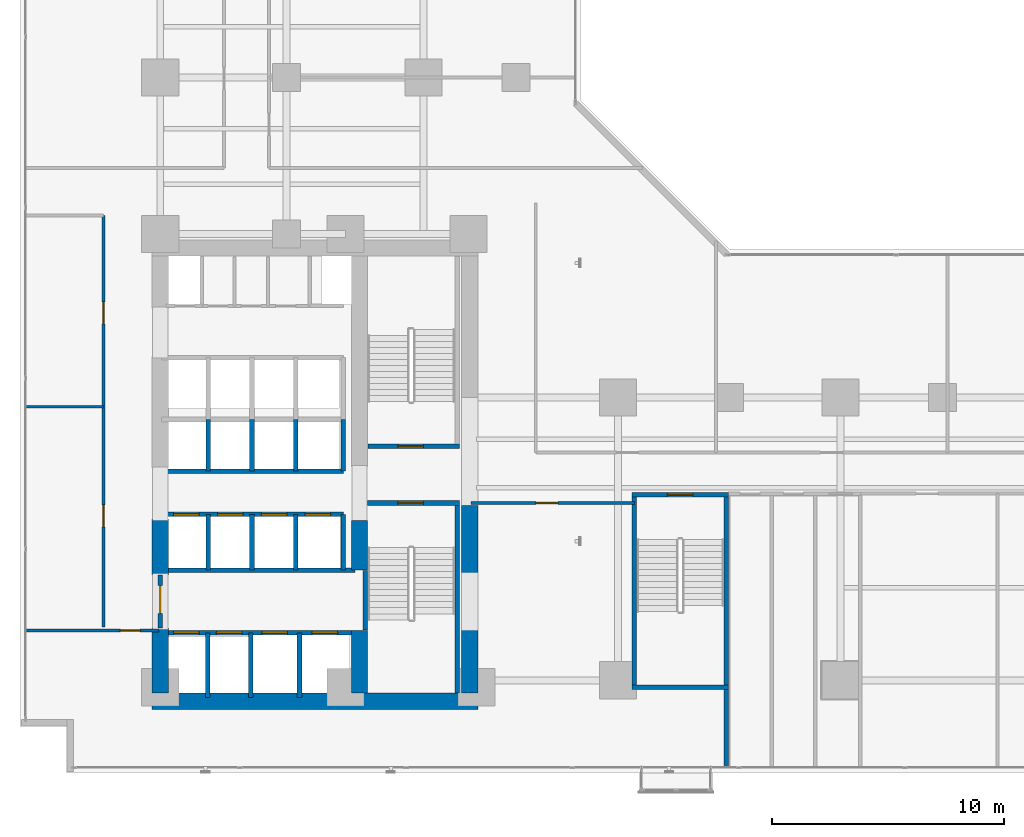
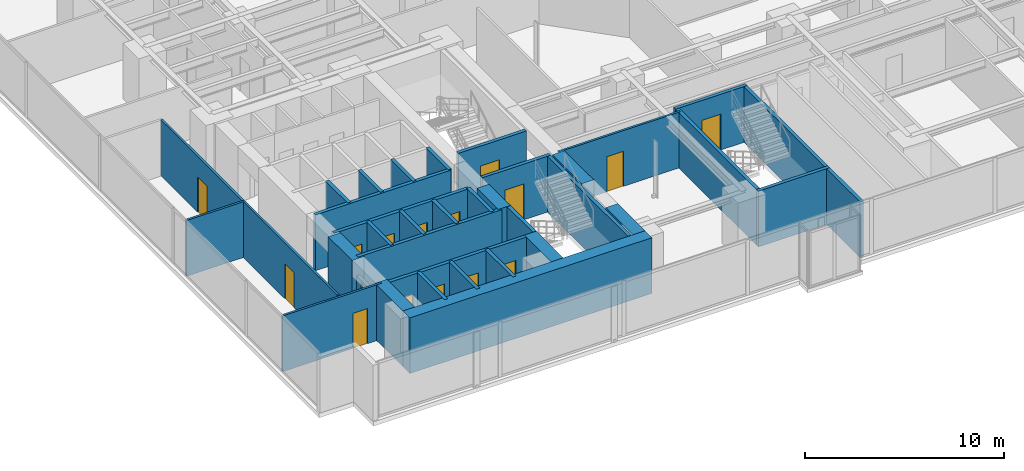
# One storey, part 22 of 28: 35 walls, 16 doors, 16 openings.
"""IFC4 building model written with IfcOpenShell, lengths in metres."""

from ifc_helpers import new_model, si_unit, direction, frame, frame_2d, origin, place, context, subcontext, project, spatial, rectangle, extrude, material, layer, layer_set, type_object, element, fill, save


model = new_model("IFC4")

# Units and contexts
model_context = context("Model", 3, precision=1e-05, world=origin(), true_north=direction((0.0, 1.0)))
body_context = subcontext(model_context, "Body", "Model", "MODEL_VIEW")
ifc_project = project(units=[si_unit("LENGTHUNIT", "METRE"), si_unit("AREAUNIT", "SQUARE_METRE"), si_unit("VOLUMEUNIT", "CUBIC_METRE"), si_unit("PLANEANGLEUNIT", "RADIAN"), si_unit("MASSUNIT", "GRAM", prefix="KILO")], contexts=[model_context])

# Site, building, storey
site_placement = place(None, origin())
site = spatial("IfcSite", under=ifc_project, at=site_placement, CompositionType="ELEMENT")
building_placement = place(site_placement, origin())
building = spatial("IfcBuilding", under=site, at=building_placement, Name="Kolvaren Waterfront Exchange", CompositionType="ELEMENT")
storey_placement = place(building_placement, frame((0.0, 0.0, 79.0)))
storey = spatial("IfcBuildingStorey", under=building, at=storey_placement, Name="L20", CompositionType="ELEMENT", Elevation=79.0)

# Wall, opening, door
ifc_material_1 = material(Name="Precast concrete C40/50", Category="concrete")
ifc_layer_1 = layer(ifc_material_1, 0.199951171875, Name="Precast concrete C40/50")
ifc_layer_set_1 = layer_set([ifc_layer_1], Name="Precast concrete C40/50")
wall_type_1 = type_object("IfcWallType", Name="ARC-FIRE-200", PredefinedType="PARTITIONING", material=ifc_layer_set_1)
wall_1_placement = place(storey_placement, frame((16.39990234375, 12.85009765625, 0.0), z_axis=(0.0, 0.0, 1.0), x_axis=(1.0, 0.0, 0.0)))
wall_1 = element("IfcWall", 1, at=wall_1_placement, inside=storey, type_object=wall_type_1, Name="L20 interior wall PW-L20-ST1-THROAT-S", PredefinedType="PARTITIONING", context=body_context, shape_type="SweptSolid", body=[
    extrude(rectangle(XDim=3.960205078125, YDim=0.199951171875, at=frame_2d((1.97998046875, 0.0))), origin(), (0.0, 0.0, 1.0), 3.419921875),
])
opening_1_placement = place(wall_1_placement, frame((1.3037109375, 0.0, 0.0)))
opening_1 = element("IfcOpeningElement", 2, at=opening_1_placement, cuts=wall_1, Name="Opening FD2", PredefinedType="OPENING", context=body_context, shape_type="SweptSolid", body=[
    extrude(rectangle(XDim=1.10009765625, YDim=2.199951171875, at=frame_2d((0.550048828125, 1.10009765625))), frame((0.0, 0.10986328125, 0.0), z_axis=(0.0, -1.0, 0.0), x_axis=(1.0, 0.0, 0.0)), (0.0, 0.0, 1.0), 0.219970703125),
])
ifc_material_2 = material(Name="Pressed steel smoke-seal fire door", Category="steel")
door_type_1 = type_object("IfcDoorType", Name="ARC-FD-1100", OperationType="NOTDEFINED", PredefinedType="DOOR", material=ifc_material_2)
door_1_placement = place(opening_1_placement, frame((1.10009765625, 0.0, 0.0), z_axis=(0.0, 0.0, 1.0), x_axis=(-1.0, 0.0, 0.0)))
door_1 = element("IfcDoor", 3, at=door_1_placement, inside=storey, type_object=door_type_1, Name="L20 door DR-L20-ST1-IN (FD2)", OperationType="SINGLE_SWING_LEFT", OverallHeight=2.199951171875, OverallWidth=1.10009765625, PredefinedType="DOOR", context=body_context, shape_type="SweptSolid", body=[
    extrude(rectangle(XDim=1.10009765625, YDim=2.199951171875, at=frame_2d((0.550048828125, 1.10009765625))), frame((0.0, 0.02490234375, 0.0), z_axis=(0.0, -1.0, 0.0), x_axis=(1.0, 0.0, 0.0)), (0.0, 0.0, 1.0), 0.050048828125),
])
fill(opening_1, door_1)

wall_2_placement = place(storey_placement, frame((16.409912109375, 15.300048828125, 0.0), z_axis=(0.0, 0.0, 1.0), x_axis=(1.0, 0.0, 0.0)))
wall_2 = element("IfcWall", 4, at=wall_2_placement, inside=storey, type_object=wall_type_1, Name="L20 interior wall PW-L20-ST2-THROAT-N", PredefinedType="PARTITIONING", context=body_context, shape_type="SweptSolid", body=[
    extrude(rectangle(XDim=3.9501953125, YDim=0.199951171875, at=frame_2d((1.97509765625, 0.0))), origin(), (0.0, 0.0, 1.0), 3.419921875),
])
opening_2_placement = place(wall_2_placement, frame((1.293701171875, 0.0, 0.0)))
opening_2 = element("IfcOpeningElement", 5, at=opening_2_placement, cuts=wall_2, Name="Opening FD2", PredefinedType="OPENING", context=body_context, shape_type="SweptSolid", body=[
    extrude(rectangle(XDim=1.10009765625, YDim=2.199951171875, at=frame_2d((0.550048828125, 1.10009765625))), frame((0.0, 0.10986328125, 0.0), z_axis=(0.0, -1.0, 0.0), x_axis=(1.0, 0.0, 0.0)), (0.0, 0.0, 1.0), 0.219970703125),
])
door_2_placement = place(opening_2_placement, origin())
door_2 = element("IfcDoor", 6, at=door_2_placement, inside=storey, type_object=door_type_1, Name="L20 door DR-L20-ST2-IN (FD2)", OperationType="SINGLE_SWING_RIGHT", OverallHeight=2.199951171875, OverallWidth=1.10009765625, PredefinedType="DOOR", context=body_context, shape_type="SweptSolid", body=[
    extrude(rectangle(XDim=1.10009765625, YDim=2.199951171875, at=frame_2d((0.550048828125, 1.10009765625))), frame((0.0, 0.02490234375, 0.0), z_axis=(0.0, -1.0, 0.0), x_axis=(1.0, 0.0, 0.0)), (0.0, 0.0, 1.0), 0.050048828125),
])
fill(opening_2, door_2)

# Wall
wall_3_placement = place(storey_placement, frame((7.5, 9.949951171875, 0.0), z_axis=(0.0, 0.0, 1.0), x_axis=(1.0, 0.0, 0.0)))
element("IfcWall", 7, at=wall_3_placement, inside=storey, type_object=wall_type_1, Name="L20 interior wall PW-L20-FF-N", PredefinedType="PARTITIONING", context=body_context, shape_type="SweptSolid", body=[
    extrude(rectangle(XDim=8.35009765625, YDim=0.199951171875, at=frame_2d((4.175048828125, 0.0))), origin(), (0.0, 0.0, 1.0), 3.419921875),
])

# Wall, opening, door
wall_4_placement = place(storey_placement, frame((7.449951171875, 7.449951171875, 0.0), z_axis=(0.0, 0.0, 1.0), x_axis=(0.0, 1.0, 0.0)))
wall_4 = element("IfcWall", 8, at=wall_4_placement, inside=storey, type_object=wall_type_1, Name="L20 interior wall PW-L20-FF-W-DOOR", PredefinedType="PARTITIONING", context=body_context, shape_type="SweptSolid", body=[
    extrude(rectangle(XDim=2.300048828125, YDim=0.199951171875, at=frame_2d((1.14990234375, 0.0))), origin(), (0.0, 0.0, 1.0), 2.39990234375),
])
opening_3_placement = place(wall_4_placement, frame((0.63330078125, 0.0, 0.0)))
opening_3 = element("IfcOpeningElement", 9, at=opening_3_placement, cuts=wall_4, Name="Opening FD3", PredefinedType="OPENING", context=body_context, shape_type="SweptSolid", body=[
    extrude(rectangle(XDim=1.199951171875, YDim=2.25, at=frame_2d((0.60009765625, 1.125))), frame((0.0, 0.10986328125, 0.0), z_axis=(0.0, -1.0, 0.0), x_axis=(1.0, 0.0, 0.0)), (0.0, 0.0, 1.0), 0.219970703125),
])
ifc_material_3 = material(Name="Pressed steel fire door", Category="steel")
door_type_2 = type_object("IfcDoorType", Name="ARC-FD-1200", OperationType="NOTDEFINED", PredefinedType="DOOR", material=ifc_material_3)
door_3_placement = place(opening_3_placement, frame((1.199951171875, 0.0, 0.0), z_axis=(0.0, 0.0, 1.0), x_axis=(-1.0, 0.0, 0.0)))
door_3 = element("IfcDoor", 10, at=door_3_placement, inside=storey, type_object=door_type_2, Name="L20 door DR-L20-FF-OUT (FD3)", OperationType="SINGLE_SWING_RIGHT", OverallHeight=2.25, OverallWidth=1.199951171875, PredefinedType="DOOR", context=body_context, shape_type="SweptSolid", body=[
    extrude(rectangle(XDim=1.199951171875, YDim=2.25, at=frame_2d((0.60009765625, 1.125))), frame((0.0, 0.02490234375, 0.0), z_axis=(0.0, -1.0, 0.0), x_axis=(1.0, 0.0, 0.0)), (0.0, 0.0, 1.0), 0.050048828125),
])
fill(opening_3, door_3)

ifc_material_4 = material(Name="Acoustic gypsum steel stud", Category="steel")
ifc_layer_2 = layer(ifc_material_4, 0.125, Name="Acoustic gypsum steel stud")
ifc_layer_set_2 = layer_set([ifc_layer_2], Name="Acoustic gypsum steel stud")
wall_type_2 = type_object("IfcWallType", Name="ARC-PART-125", PredefinedType="PARTITIONING", material=ifc_layer_set_2)
wall_5_placement = place(storey_placement, frame((1.639892578125, 7.35009765625, 0.0), z_axis=(0.0, 0.0, 1.0), x_axis=(1.0, 0.0, 0.0)))
wall_5 = element("IfcWall", 11, at=wall_5_placement, inside=storey, type_object=wall_type_2, Name="L20 interior wall PW-L20-SWC-N", PredefinedType="PARTITIONING", context=body_context, shape_type="SweptSolid", body=[
    extrude(rectangle(XDim=5.760009765625, YDim=0.125, at=frame_2d((2.8798828125, 0.0))), origin(), (0.0, 0.0, 1.0), 3.419921875),
])
opening_4_placement = place(wall_5_placement, frame((4.086669921875, 0.0, 0.0)))
opening_4 = element("IfcOpeningElement", 12, at=opening_4_placement, cuts=wall_5, Name="Opening D01", PredefinedType="OPENING", context=body_context, shape_type="SweptSolid", body=[
    extrude(rectangle(XDim=0.85009765625, YDim=2.14990234375, at=frame_2d((0.425048828125, 1.074951171875))), frame((0.0, 0.072509765625, 0.0), z_axis=(0.0, -1.0, 0.0), x_axis=(1.0, 0.0, 0.0)), (0.0, 0.0, 1.0), 0.14501953125),
])
ifc_material_5 = material(Name="Oak veneer timber leaf", Category="wood")
door_type_3 = type_object("IfcDoorType", Name="ARC-DR-900", OperationType="NOTDEFINED", PredefinedType="DOOR", material=ifc_material_5)
door_4_placement = place(opening_4_placement, origin())
door_4 = element("IfcDoor", 13, at=door_4_placement, inside=storey, type_object=door_type_3, Name="L20 door DR-L20-SWC-D (D01)", OperationType="SINGLE_SWING_RIGHT", OverallHeight=2.14990234375, OverallWidth=0.85009765625, PredefinedType="DOOR", context=body_context, shape_type="SweptSolid", body=[
    extrude(rectangle(XDim=0.85009765625, YDim=2.14990234375, at=frame_2d((0.425048828125, 1.074951171875))), frame((0.0, 0.02490234375, 0.0), z_axis=(0.0, -1.0, 0.0), x_axis=(1.0, 0.0, 0.0)), (0.0, 0.0, 1.0), 0.050048828125),
])
fill(opening_4, door_4)

# Wall, openings, doors
wall_6_placement = place(storey_placement, frame((5.0, 7.5, 0.0), z_axis=(0.0, 0.0, 1.0), x_axis=(0.0, 1.0, 0.0)))
wall_6 = element("IfcWall", 14, at=wall_6_placement, inside=storey, type_object=wall_type_2, Name="L20 interior wall PW-L20-WFLANK-E", PredefinedType="PARTITIONING", context=body_context, shape_type="SweptSolid", body=[
    extrude(rectangle(XDim=17.75, YDim=0.125, at=frame_2d((8.875, 0.0))), origin(), (0.0, 0.0, 1.0), 3.419921875),
])
opening_5_placement = place(wall_6_placement, frame((4.320068359375, 0.0, 0.0)))
opening_5 = element("IfcOpeningElement", 15, at=opening_5_placement, cuts=wall_6, Name="Opening D02", PredefinedType="OPENING", context=body_context, shape_type="SweptSolid", body=[
    extrude(rectangle(XDim=0.949951171875, YDim=2.14990234375, at=frame_2d((0.47509765625, 1.074951171875))), frame((0.0, 0.072509765625, 0.0), z_axis=(0.0, -1.0, 0.0), x_axis=(1.0, 0.0, 0.0)), (0.0, 0.0, 1.0), 0.14501953125),
])
opening_6_placement = place(wall_6_placement, frame((13.078857421875, 0.0, 0.0)))
opening_6 = element("IfcOpeningElement", 16, at=opening_6_placement, cuts=wall_6, Name="Opening D02", PredefinedType="OPENING", context=body_context, shape_type="SweptSolid", body=[
    extrude(rectangle(XDim=0.949951171875, YDim=2.14990234375, at=frame_2d((0.47509765625, 1.074951171875))), frame((0.0, 0.072509765625, 0.0), z_axis=(0.0, -1.0, 0.0), x_axis=(1.0, 0.0, 0.0)), (0.0, 0.0, 1.0), 0.14501953125),
])
ifc_material_6 = material(Name="Oak veneer acoustic timber", Category="wood")
door_type_4 = type_object("IfcDoorType", Name="ARC-DR-950", OperationType="NOTDEFINED", PredefinedType="DOOR", material=ifc_material_6)
door_5_placement = place(opening_5_placement, origin())
door_5 = element("IfcDoor", 17, at=door_5_placement, inside=storey, type_object=door_type_4, Name="L20 door DR-L20-WFL1-D (D02)", OperationType="SINGLE_SWING_LEFT", OverallHeight=2.14990234375, OverallWidth=0.949951171875, PredefinedType="DOOR", context=body_context, shape_type="SweptSolid", body=[
    extrude(rectangle(XDim=0.949951171875, YDim=2.14990234375, at=frame_2d((0.47509765625, 1.074951171875))), frame((0.0, 0.02490234375, 0.0), z_axis=(0.0, -1.0, 0.0), x_axis=(1.0, 0.0, 0.0)), (0.0, 0.0, 1.0), 0.050048828125),
])
fill(opening_5, door_5)
door_6_placement = place(opening_6_placement, origin())
door_6 = element("IfcDoor", 18, at=door_6_placement, inside=storey, type_object=door_type_4, Name="L20 door DR-L20-WFL2-D (D02)", OperationType="SINGLE_SWING_RIGHT", OverallHeight=2.14990234375, OverallWidth=0.949951171875, PredefinedType="DOOR", context=body_context, shape_type="SweptSolid", body=[
    extrude(rectangle(XDim=0.949951171875, YDim=2.14990234375, at=frame_2d((0.47509765625, 1.074951171875))), frame((0.0, 0.02490234375, 0.0), z_axis=(0.0, -1.0, 0.0), x_axis=(1.0, 0.0, 0.0)), (0.0, 0.0, 1.0), 0.050048828125),
])
fill(opening_6, door_6)

# Wall
wall_7_placement = place(storey_placement, frame((1.639892578125, 17.0, 0.0), z_axis=(0.0, 0.0, 1.0), x_axis=(1.0, 0.0, 0.0)))
element("IfcWall", 19, at=wall_7_placement, inside=storey, type_object=wall_type_2, Name="L20 interior wall PW-L20-WFLANK-MID", PredefinedType="PARTITIONING", context=body_context, shape_type="SweptSolid", body=[
    extrude(rectangle(XDim=3.360107421875, YDim=0.125, at=frame_2d((1.68017578125, 0.0))), origin(), (0.0, 0.0, 1.0), 3.419921875),
])

# Wall, opening, door
wall_8_placement = place(storey_placement, frame((20.85009765625, 12.85009765625, 0.0), z_axis=(0.0, 0.0, 1.0), x_axis=(1.0, 0.0, 0.0)))
wall_8 = element("IfcWall", 20, at=wall_8_placement, inside=storey, type_object=wall_type_2, Name="L20 interior wall PW-L20-SWST3-N", PredefinedType="PARTITIONING", context=body_context, shape_type="SweptSolid", body=[
    extrude(rectangle(XDim=7.0498046875, YDim=0.125, at=frame_2d((3.52490234375, 0.0))), origin(), (0.0, 0.0, 1.0), 3.419921875),
])
opening_7_placement = place(wall_8_placement, frame((2.800048828125, 0.0, 0.0)))
opening_7 = element("IfcOpeningElement", 21, at=opening_7_placement, cuts=wall_8, Name="Opening D02", PredefinedType="OPENING", context=body_context, shape_type="SweptSolid", body=[
    extrude(rectangle(XDim=0.949951171875, YDim=2.14990234375, at=frame_2d((0.47509765625, 1.074951171875))), frame((0.0, 0.072509765625, 0.0), z_axis=(0.0, -1.0, 0.0), x_axis=(1.0, 0.0, 0.0)), (0.0, 0.0, 1.0), 0.14501953125),
])
door_7_placement = place(opening_7_placement, origin())
door_7 = element("IfcDoor", 22, at=door_7_placement, inside=storey, type_object=door_type_4, Name="L20 door DR-L20-SWST3-D (D02)", OperationType="SINGLE_SWING_LEFT", OverallHeight=2.14990234375, OverallWidth=0.949951171875, PredefinedType="DOOR", context=body_context, shape_type="SweptSolid", body=[
    extrude(rectangle(XDim=0.949951171875, YDim=2.14990234375, at=frame_2d((0.47509765625, 1.074951171875))), frame((0.0, 0.02490234375, 0.0), z_axis=(0.0, -1.0, 0.0), x_axis=(1.0, 0.0, 0.0)), (0.0, 0.0, 1.0), 0.050048828125),
])
fill(opening_7, door_7)

# Walls
ifc_material_7 = material(Name="Concrete C40/50", Category="concrete")
ifc_layer_3 = layer(ifc_material_7, 0.199951171875, Name="Concrete C40/50")
ifc_layer_set_3 = layer_set([ifc_layer_3], Name="Concrete C40/50")
wall_type_3 = type_object("IfcWallType", Name="ARC-SHAFT-200", PredefinedType="PARTITIONING", material=ifc_layer_set_3)
wall_9_placement = place(storey_placement, frame((16.300048828125, 7.360107421875, 0.0), z_axis=(0.0, 0.0, 1.0), x_axis=(0.0, 1.0, 0.0)))
element("IfcWall", 23, at=wall_9_placement, inside=storey, type_object=wall_type_3, Name="L20 structural stairwell wall PW-L20-ST1-W", PredefinedType="SHEAR", context=body_context, shape_type="SweptSolid", body=[
    extrude(rectangle(XDim=2.579833984375, YDim=0.199951171875, at=frame_2d((1.2900390625, 0.0))), origin(), (0.0, 0.0, 1.0), 3.419921875),
])
wall_10_placement = place(storey_placement, frame((20.260009765625, 4.659912109375, 0.0), z_axis=(0.0, 0.0, 1.0), x_axis=(0.0, 1.0, 0.0)))
element("IfcWall", 24, at=wall_10_placement, inside=storey, type_object=wall_type_3, Name="L20 structural stairwell wall PW-L20-ST1-E", PredefinedType="SHEAR", context=body_context, shape_type="SweptSolid", body=[
    extrude(rectangle(XDim=8.090087890625, YDim=0.199951171875, at=frame_2d((4.044921875, 0.0))), origin(), (0.0, 0.0, 1.0), 3.419921875),
])
wall_11_placement = place(storey_placement, frame((27.89990234375, 5.0, 0.0), z_axis=(0.0, 0.0, 1.0), x_axis=(0.0, 1.0, 0.0)))
element("IfcWall", 25, at=wall_11_placement, inside=storey, type_object=wall_type_3, Name="L20 structural stairwell wall PW-L20-ST3-W", PredefinedType="SHEAR", context=body_context, shape_type="SweptSolid", body=[
    extrude(rectangle(XDim=8.10009765625, YDim=0.199951171875, at=frame_2d((4.050048828125, 0.0))), origin(), (0.0, 0.0, 1.0), 3.419921875),
])
wall_12_placement = place(storey_placement, frame((31.860107421875, 1.43994140625, 0.0), z_axis=(0.0, 0.0, 1.0), x_axis=(0.0, 1.0, 0.0)))
element("IfcWall", 26, at=wall_12_placement, inside=storey, type_object=wall_type_3, Name="L20 structural stairwell wall PW-L20-ST3-E", PredefinedType="SHEAR", context=body_context, shape_type="SweptSolid", body=[
    extrude(rectangle(XDim=11.81005859375, YDim=0.199951171875, at=frame_2d((5.905029296875, 0.0))), origin(), (0.0, 0.0, 1.0), 3.419921875),
])
wall_13_placement = place(storey_placement, frame((27.800048828125, 4.89990234375, 0.0), z_axis=(0.0, 0.0, 1.0), x_axis=(1.0, 0.0, 0.0)))
element("IfcWall", 27, at=wall_13_placement, inside=storey, type_object=wall_type_3, Name="L20 structural stairwell wall PW-L20-ST3-S", PredefinedType="SHEAR", context=body_context, shape_type="SweptSolid", body=[
    extrude(rectangle(XDim=4.159912109375, YDim=0.199951171875, at=frame_2d((2.080078125, 0.0))), origin(), (0.0, 0.0, 1.0), 3.419921875),
])

# Wall, opening, door
wall_14_placement = place(storey_placement, frame((27.800048828125, 13.199951171875, 0.0), z_axis=(0.0, 0.0, 1.0), x_axis=(1.0, 0.0, 0.0)))
wall_14 = element("IfcWall", 28, at=wall_14_placement, inside=storey, type_object=wall_type_3, Name="L20 structural stairwell wall PW-L20-ST3-N", PredefinedType="SHEAR", context=body_context, shape_type="SweptSolid", body=[
    extrude(rectangle(XDim=4.159912109375, YDim=0.199951171875, at=frame_2d((2.080078125, 0.0))), origin(), (0.0, 0.0, 1.0), 3.419921875),
])
opening_8_placement = place(wall_14_placement, frame((1.530029296875, 0.0, 0.0)))
opening_8 = element("IfcOpeningElement", 29, at=opening_8_placement, cuts=wall_14, Name="Opening FD2", PredefinedType="OPENING", context=body_context, shape_type="SweptSolid", body=[
    extrude(rectangle(XDim=1.10009765625, YDim=2.199951171875, at=frame_2d((0.550048828125, 1.10009765625))), frame((0.0, 0.10986328125, 0.0), z_axis=(0.0, -1.0, 0.0), x_axis=(1.0, 0.0, 0.0)), (0.0, 0.0, 1.0), 0.219970703125),
])
door_8_placement = place(opening_8_placement, frame((1.10009765625, 0.0, 0.0), z_axis=(0.0, 0.0, 1.0), x_axis=(-1.0, 0.0, 0.0)))
door_8 = element("IfcDoor", 30, at=door_8_placement, inside=storey, type_object=door_type_1, Name="L20 door DR-L20-ST3-IN (FD2)", OperationType="SINGLE_SWING_LEFT", OverallHeight=2.199951171875, OverallWidth=1.10009765625, PredefinedType="DOOR", context=body_context, shape_type="SweptSolid", body=[
    extrude(rectangle(XDim=1.10009765625, YDim=2.199951171875, at=frame_2d((0.550048828125, 1.10009765625))), frame((0.0, 0.02490234375, 0.0), z_axis=(0.0, -1.0, 0.0), x_axis=(1.0, 0.0, 0.0)), (0.0, 0.0, 1.0), 0.050048828125),
])
fill(opening_8, door_8)

# Wall, openings, doors
wall_15_placement = place(storey_placement, frame((7.5, 7.25, 0.0), z_axis=(0.0, 0.0, 1.0), x_axis=(1.0, 0.0, 0.0)))
wall_15 = element("IfcWall", 31, at=wall_15_placement, inside=storey, type_object=wall_type_3, Name="L20 interior wall PW-L20-FF-S", PredefinedType="PARTITIONING", context=body_context, shape_type="SweptSolid", body=[
    extrude(rectangle(XDim=8.35009765625, YDim=0.199951171875, at=frame_2d((4.175048828125, 0.0))), origin(), (0.0, 0.0, 1.0), 3.419921875),
])
opening_9_placement = place(wall_15_placement, frame((0.530029296875, 0.0, 0.0)))
opening_9 = element("IfcOpeningElement", 32, at=opening_9_placement, cuts=wall_15, Name="Opening LD1", PredefinedType="OPENING", context=body_context, shape_type="SweptSolid", body=[
    extrude(rectangle(XDim=1.10009765625, YDim=2.199951171875, at=frame_2d((0.550048828125, 1.10009765625))), frame((0.0, 0.10986328125, 0.0), z_axis=(0.0, -1.0, 0.0), x_axis=(1.0, 0.0, 0.0)), (0.0, 0.0, 1.0), 0.219970703125),
])
opening_10_placement = place(wall_15_placement, frame((2.3701171875, 0.0, 0.0)))
opening_10 = element("IfcOpeningElement", 33, at=opening_10_placement, cuts=wall_15, Name="Opening LD1", PredefinedType="OPENING", context=body_context, shape_type="SweptSolid", body=[
    extrude(rectangle(XDim=1.10009765625, YDim=2.199951171875, at=frame_2d((0.550048828125, 1.10009765625))), frame((0.0, 0.10986328125, 0.0), z_axis=(0.0, -1.0, 0.0), x_axis=(1.0, 0.0, 0.0)), (0.0, 0.0, 1.0), 0.219970703125),
])
opening_11_placement = place(wall_15_placement, frame((4.330078125, 0.0, 0.0)))
opening_11 = element("IfcOpeningElement", 34, at=opening_11_placement, cuts=wall_15, Name="Opening LD1", PredefinedType="OPENING", context=body_context, shape_type="SweptSolid", body=[
    extrude(rectangle(XDim=1.10009765625, YDim=2.199951171875, at=frame_2d((0.550048828125, 1.10009765625))), frame((0.0, 0.10986328125, 0.0), z_axis=(0.0, -1.0, 0.0), x_axis=(1.0, 0.0, 0.0)), (0.0, 0.0, 1.0), 0.219970703125),
])
opening_12_placement = place(wall_15_placement, frame((6.5, 0.0, 0.0)))
opening_12 = element("IfcOpeningElement", 35, at=opening_12_placement, cuts=wall_15, Name="Opening LD1", PredefinedType="OPENING", context=body_context, shape_type="SweptSolid", body=[
    extrude(rectangle(XDim=1.10009765625, YDim=2.199951171875, at=frame_2d((0.550048828125, 1.10009765625))), frame((0.0, 0.10986328125, 0.0), z_axis=(0.0, -1.0, 0.0), x_axis=(1.0, 0.0, 0.0)), (0.0, 0.0, 1.0), 0.219970703125),
])
ifc_material_8 = material(Name="Stainless steel sliding landing door", Category="steel")
door_type_5 = type_object("IfcDoorType", Name="ARC-LD-FF", OperationType="SLIDING_TO_LEFT", PredefinedType="DOOR", material=ifc_material_8)
door_9_placement = place(opening_9_placement, origin())
door_9 = element("IfcDoor", 36, at=door_9_placement, inside=storey, type_object=door_type_5, Name="L20 door LD-L20-FFL1 (LD1)", OperationType="SLIDING_TO_LEFT", OverallHeight=2.199951171875, OverallWidth=1.10009765625, PredefinedType="DOOR", context=body_context, shape_type="SweptSolid", body=[
    extrude(rectangle(XDim=1.10009765625, YDim=2.199951171875, at=frame_2d((0.550048828125, 1.10009765625))), frame((0.0, 0.02490234375, 0.0), z_axis=(0.0, -1.0, 0.0), x_axis=(1.0, 0.0, 0.0)), (0.0, 0.0, 1.0), 0.050048828125),
])
fill(opening_9, door_9)
door_10_placement = place(opening_10_placement, origin())
door_10 = element("IfcDoor", 37, at=door_10_placement, inside=storey, type_object=door_type_5, Name="L20 door LD-L20-FFL2 (LD1)", OperationType="SLIDING_TO_LEFT", OverallHeight=2.199951171875, OverallWidth=1.10009765625, PredefinedType="DOOR", context=body_context, shape_type="SweptSolid", body=[
    extrude(rectangle(XDim=1.10009765625, YDim=2.199951171875, at=frame_2d((0.550048828125, 1.10009765625))), frame((0.0, 0.02490234375, 0.0), z_axis=(0.0, -1.0, 0.0), x_axis=(1.0, 0.0, 0.0)), (0.0, 0.0, 1.0), 0.050048828125),
])
fill(opening_10, door_10)
door_11_placement = place(opening_11_placement, origin())
door_11 = element("IfcDoor", 38, at=door_11_placement, inside=storey, type_object=door_type_5, Name="L20 door LD-L20-GL1 (LD1)", OperationType="SLIDING_TO_LEFT", OverallHeight=2.199951171875, OverallWidth=1.10009765625, PredefinedType="DOOR", context=body_context, shape_type="SweptSolid", body=[
    extrude(rectangle(XDim=1.10009765625, YDim=2.199951171875, at=frame_2d((0.550048828125, 1.10009765625))), frame((0.0, 0.02490234375, 0.0), z_axis=(0.0, -1.0, 0.0), x_axis=(1.0, 0.0, 0.0)), (0.0, 0.0, 1.0), 0.050048828125),
])
fill(opening_11, door_11)
door_12_placement = place(opening_12_placement, origin())
door_12 = element("IfcDoor", 39, at=door_12_placement, inside=storey, type_object=door_type_5, Name="L20 door LD-L20-GL2 (LD1)", OperationType="SLIDING_TO_LEFT", OverallHeight=2.199951171875, OverallWidth=1.10009765625, PredefinedType="DOOR", context=body_context, shape_type="SweptSolid", body=[
    extrude(rectangle(XDim=1.10009765625, YDim=2.199951171875, at=frame_2d((0.550048828125, 1.10009765625))), frame((0.0, 0.02490234375, 0.0), z_axis=(0.0, -1.0, 0.0), x_axis=(1.0, 0.0, 0.0)), (0.0, 0.0, 1.0), 0.050048828125),
])
fill(opening_12, door_12)

# Walls
for number, where, z_axis, x_axis, name in (
    (40, (9.5, 4.449951171875, 0.0), (0.0, 0.0, 1.0), (0.0, 1.0, 0.0), "L20 interior wall PW-L20-SH1-DIV-95"),
    (41, (11.360107421875, 4.449951171875, 0.0), (0.0, 0.0, 1.0), (0.0, 1.0, 0.0), "L20 interior wall PW-L20-SH1-DIV-113"),
    (42, (13.4599609375, 4.449951171875, 0.0), (0.0, 0.0, 1.0), (0.0, 1.0, 0.0), "L20 interior wall PW-L20-SH1-DIV-134"),
):
    element("IfcWall", number, at=place(storey_placement, frame(where, z_axis=z_axis, x_axis=x_axis)), inside=storey, type_object=wall_type_3, Name=name, PredefinedType="PARTITIONING", context=body_context, shape_type="SweptSolid", body=[
        extrude(rectangle(XDim=2.800048828125, YDim=0.199951171875, at=frame_2d((1.39990234375, 0.0))), origin(), (0.0, 0.0, 1.0), 3.419921875),
    ])

# Wall, openings, doors
wall_16_placement = place(storey_placement, frame((7.5, 12.360107421875, 0.0), z_axis=(0.0, 0.0, 1.0), x_axis=(1.0, 0.0, 0.0)))
wall_16 = element("IfcWall", 43, at=wall_16_placement, inside=storey, type_object=wall_type_3, Name="L20 interior wall PW-L20-PL-N", PredefinedType="PARTITIONING", context=body_context, shape_type="SweptSolid", body=[
    extrude(rectangle(XDim=7.85009765625, YDim=0.199951171875, at=frame_2d((3.925048828125, 0.0))), origin(), (0.0, 0.0, 1.0), 3.419921875),
])
opening_13_placement = place(wall_16_placement, frame((0.530029296875, 0.0, 0.0)))
opening_13 = element("IfcOpeningElement", 44, at=opening_13_placement, cuts=wall_16, Name="Opening LD2", PredefinedType="OPENING", context=body_context, shape_type="SweptSolid", body=[
    extrude(rectangle(XDim=1.10009765625, YDim=2.199951171875, at=frame_2d((0.550048828125, 1.10009765625))), frame((0.0, 0.10986328125, 0.0), z_axis=(0.0, -1.0, 0.0), x_axis=(1.0, 0.0, 0.0)), (0.0, 0.0, 1.0), 0.219970703125),
])
opening_14_placement = place(wall_16_placement, frame((2.419921875, 0.0, 0.0)))
opening_14 = element("IfcOpeningElement", 45, at=opening_14_placement, cuts=wall_16, Name="Opening LD2", PredefinedType="OPENING", context=body_context, shape_type="SweptSolid", body=[
    extrude(rectangle(XDim=1.10009765625, YDim=2.199951171875, at=frame_2d((0.550048828125, 1.10009765625))), frame((0.0, 0.10986328125, 0.0), z_axis=(0.0, -1.0, 0.0), x_axis=(1.0, 0.0, 0.0)), (0.0, 0.0, 1.0), 0.219970703125),
])
opening_15_placement = place(wall_16_placement, frame((4.31005859375, 0.0, 0.0)))
opening_15 = element("IfcOpeningElement", 46, at=opening_15_placement, cuts=wall_16, Name="Opening LD2", PredefinedType="OPENING", context=body_context, shape_type="SweptSolid", body=[
    extrude(rectangle(XDim=1.10009765625, YDim=2.199951171875, at=frame_2d((0.550048828125, 1.10009765625))), frame((0.0, 0.10986328125, 0.0), z_axis=(0.0, -1.0, 0.0), x_axis=(1.0, 0.0, 0.0)), (0.0, 0.0, 1.0), 0.219970703125),
])
opening_16_placement = place(wall_16_placement, frame((6.199951171875, 0.0, 0.0)))
opening_16 = element("IfcOpeningElement", 47, at=opening_16_placement, cuts=wall_16, Name="Opening LD2", PredefinedType="OPENING", context=body_context, shape_type="SweptSolid", body=[
    extrude(rectangle(XDim=1.10009765625, YDim=2.199951171875, at=frame_2d((0.550048828125, 1.10009765625))), frame((0.0, 0.10986328125, 0.0), z_axis=(0.0, -1.0, 0.0), x_axis=(1.0, 0.0, 0.0)), (0.0, 0.0, 1.0), 0.219970703125),
])
ifc_material_9 = material(Name="Brushed bronze sliding landing door", Category="aluminium")
door_type_6 = type_object("IfcDoorType", Name="ARC-LD-PAX", OperationType="SLIDING_TO_LEFT", PredefinedType="DOOR", material=ifc_material_9)
door_13_placement = place(opening_13_placement, origin())
door_13 = element("IfcDoor", 48, at=door_13_placement, inside=storey, type_object=door_type_6, Name="L20 door LD-L20-PL1 (LD2)", OperationType="SLIDING_TO_LEFT", OverallHeight=2.199951171875, OverallWidth=1.10009765625, PredefinedType="DOOR", context=body_context, shape_type="SweptSolid", body=[
    extrude(rectangle(XDim=1.10009765625, YDim=2.199951171875, at=frame_2d((0.550048828125, 1.10009765625))), frame((0.0, 0.02490234375, 0.0), z_axis=(0.0, -1.0, 0.0), x_axis=(1.0, 0.0, 0.0)), (0.0, 0.0, 1.0), 0.050048828125),
])
fill(opening_13, door_13)
door_14_placement = place(opening_14_placement, origin())
door_14 = element("IfcDoor", 49, at=door_14_placement, inside=storey, type_object=door_type_6, Name="L20 door LD-L20-PL2 (LD2)", OperationType="SLIDING_TO_LEFT", OverallHeight=2.199951171875, OverallWidth=1.10009765625, PredefinedType="DOOR", context=body_context, shape_type="SweptSolid", body=[
    extrude(rectangle(XDim=1.10009765625, YDim=2.199951171875, at=frame_2d((0.550048828125, 1.10009765625))), frame((0.0, 0.02490234375, 0.0), z_axis=(0.0, -1.0, 0.0), x_axis=(1.0, 0.0, 0.0)), (0.0, 0.0, 1.0), 0.050048828125),
])
fill(opening_14, door_14)
door_15_placement = place(opening_15_placement, origin())
door_15 = element("IfcDoor", 50, at=door_15_placement, inside=storey, type_object=door_type_6, Name="L20 door LD-L20-PL3 (LD2)", OperationType="SLIDING_TO_LEFT", OverallHeight=2.199951171875, OverallWidth=1.10009765625, PredefinedType="DOOR", context=body_context, shape_type="SweptSolid", body=[
    extrude(rectangle(XDim=1.10009765625, YDim=2.199951171875, at=frame_2d((0.550048828125, 1.10009765625))), frame((0.0, 0.02490234375, 0.0), z_axis=(0.0, -1.0, 0.0), x_axis=(1.0, 0.0, 0.0)), (0.0, 0.0, 1.0), 0.050048828125),
])
fill(opening_15, door_15)
door_16_placement = place(opening_16_placement, origin())
door_16 = element("IfcDoor", 51, at=door_16_placement, inside=storey, type_object=door_type_6, Name="L20 door LD-L20-PL4 (LD2)", OperationType="SLIDING_TO_LEFT", OverallHeight=2.199951171875, OverallWidth=1.10009765625, PredefinedType="DOOR", context=body_context, shape_type="SweptSolid", body=[
    extrude(rectangle(XDim=1.10009765625, YDim=2.199951171875, at=frame_2d((0.550048828125, 1.10009765625))), frame((0.0, 0.02490234375, 0.0), z_axis=(0.0, -1.0, 0.0), x_axis=(1.0, 0.0, 0.0)), (0.0, 0.0, 1.0), 0.050048828125),
])
fill(opening_16, door_16)

# Walls
for number, where, z_axis, x_axis, name in (
    (52, (15.35009765625, 9.949951171875, 0.0), (0.0, 0.0, 1.0), (0.0, 1.0, 0.0), "L20 interior wall PW-L20-PL-E"),
    (53, (9.52001953125, 9.949951171875, 0.0), (0.0, 0.0, 1.0), (0.0, 1.0, 0.0), "L20 interior wall PW-L20-SH2-DIV-95"),
    (54, (11.409912109375, 9.949951171875, 0.0), (0.0, 0.0, 1.0), (0.0, 1.0, 0.0), "L20 interior wall PW-L20-SH2-DIV-114"),
    (55, (13.300048828125, 9.949951171875, 0.0), (0.0, 0.0, 1.0), (0.0, 1.0, 0.0), "L20 interior wall PW-L20-SH2-DIV-133"),
):
    element("IfcWall", number, at=place(storey_placement, frame(where, z_axis=z_axis, x_axis=x_axis)), inside=storey, type_object=wall_type_3, Name=name, PredefinedType="PARTITIONING", context=body_context, shape_type="SweptSolid", body=[
        extrude(rectangle(XDim=2.41015625, YDim=0.199951171875, at=frame_2d((1.205078125, 0.0))), origin(), (0.0, 0.0, 1.0), 3.419921875),
    ])
wall_17_placement = place(storey_placement, frame((7.5, 14.219970703125, 0.0), z_axis=(0.0, 0.0, 1.0), x_axis=(1.0, 0.0, 0.0)))
element("IfcWall", 56, at=wall_17_placement, inside=storey, type_object=wall_type_3, Name="L20 interior wall PW-L20-PM-S", PredefinedType="PARTITIONING", context=body_context, shape_type="SweptSolid", body=[
    extrude(rectangle(XDim=7.85009765625, YDim=0.199951171875, at=frame_2d((3.925048828125, 0.0))), origin(), (0.0, 0.0, 1.0), 3.419921875),
])
for number, where, z_axis, x_axis, name in (
    (57, (15.35009765625, 14.219970703125, 0.0), (0.0, 0.0, 1.0), (0.0, 1.0, 0.0), "L20 interior wall PW-L20-PM-E"),
    (58, (9.52001953125, 14.219970703125, 0.0), (0.0, 0.0, 1.0), (0.0, 1.0, 0.0), "L20 interior wall PW-L20-SH3-DIV-95"),
    (59, (11.409912109375, 14.219970703125, 0.0), (0.0, 0.0, 1.0), (0.0, 1.0, 0.0), "L20 interior wall PW-L20-SH3-DIV-114"),
    (60, (13.300048828125, 14.219970703125, 0.0), (0.0, 0.0, 1.0), (0.0, 1.0, 0.0), "L20 interior wall PW-L20-SH3-DIV-133"),
):
    element("IfcWall", number, at=place(storey_placement, frame(where, z_axis=z_axis, x_axis=x_axis)), inside=storey, type_object=wall_type_3, Name=name, PredefinedType="PARTITIONING", context=body_context, shape_type="SweptSolid", body=[
        extrude(rectangle(XDim=2.22998046875, YDim=0.199951171875, at=frame_2d((1.114990234375, 0.0))), origin(), (0.0, 0.0, 1.0), 3.419921875),
    ])
ifc_material_10 = material(Name="Concrete C70/85", Category="concrete")
ifc_layer_4 = layer(ifc_material_10, 0.699951171875, Name="Concrete C70/85")
ifc_layer_set_4 = layer_set([ifc_layer_4], Name="Concrete C70/85")
wall_type_4 = type_object("IfcWallType", Name="STR-CWALL-700", PredefinedType="SHEAR", material=ifc_layer_set_4)
wall_18_placement = place(storey_placement, frame((7.10009765625, 4.300048828125, 0.0), z_axis=(0.0, 0.0, 1.0), x_axis=(1.0, 0.0, 0.0)))
element("IfcWall", 61, at=wall_18_placement, inside=storey, type_object=wall_type_4, Name="L20 rear-core shear wall S", PredefinedType="SHEAR", context=body_context, shape_type="SweptSolid", body=[
    extrude(rectangle(XDim=14.0498046875, YDim=0.699951171875, at=frame_2d((7.02490234375, 0.0))), origin(), (0.0, 0.0, 1.0), 3.419921875),
])
wall_19_placement = place(storey_placement, frame((7.449951171875, 4.64990234375, 0.0), z_axis=(0.0, 0.0, 1.0), x_axis=(0.0, 1.0, 0.0)))
element("IfcWall", 62, at=wall_19_placement, inside=storey, type_object=wall_type_4, Name="L20 rear-core shear wall W1", PredefinedType="SHEAR", context=body_context, shape_type="SweptSolid", body=[
    extrude(rectangle(XDim=2.800048828125, YDim=0.699951171875, at=frame_2d((1.39990234375, 0.0))), origin(), (0.0, 0.0, 1.0), 3.419921875),
])
wall_20_placement = place(storey_placement, frame((7.449951171875, 9.75, 0.0), z_axis=(0.0, 0.0, 1.0), x_axis=(0.0, 1.0, 0.0)))
element("IfcWall", 63, at=wall_20_placement, inside=storey, type_object=wall_type_4, Name="L20 rear-core shear wall W2A", PredefinedType="SHEAR", context=body_context, shape_type="SweptSolid", body=[
    extrude(rectangle(XDim=2.39990234375, YDim=0.699951171875, at=frame_2d((1.199951171875, 0.0))), origin(), (0.0, 0.0, 1.0), 3.419921875),
])
wall_21_placement = place(storey_placement, frame((20.800048828125, 4.64990234375, 0.0), z_axis=(0.0, 0.0, 1.0), x_axis=(0.0, 1.0, 0.0)))
element("IfcWall", 64, at=wall_21_placement, inside=storey, type_object=wall_type_4, Name="L20 rear-core shear wall E1", PredefinedType="SHEAR", context=body_context, shape_type="SweptSolid", body=[
    extrude(rectangle(XDim=2.75, YDim=0.699951171875, at=frame_2d((1.375, 0.0))), origin(), (0.0, 0.0, 1.0), 3.419921875),
])
wall_22_placement = place(storey_placement, frame((20.800048828125, 9.800048828125, 0.0), z_axis=(0.0, 0.0, 1.0), x_axis=(0.0, 1.0, 0.0)))
element("IfcWall", 65, at=wall_22_placement, inside=storey, type_object=wall_type_4, Name="L20 rear-core shear wall E2", PredefinedType="SHEAR", context=body_context, shape_type="SweptSolid", body=[
    extrude(rectangle(XDim=2.949951171875, YDim=0.699951171875, at=frame_2d((1.47509765625, 0.0))), origin(), (0.0, 0.0, 1.0), 3.419921875),
])
wall_23_placement = place(storey_placement, frame((16.050048828125, 4.64990234375, 0.0), z_axis=(0.0, 0.0, 1.0), x_axis=(0.0, 1.0, 0.0)))
element("IfcWall", 66, at=wall_23_placement, inside=storey, type_object=wall_type_4, Name="L20 rear-core shear wall M1", PredefinedType="SHEAR", context=body_context, shape_type="SweptSolid", body=[
    extrude(rectangle(XDim=2.7001953125, YDim=0.699951171875, at=frame_2d((1.35009765625, 0.0))), origin(), (0.0, 0.0, 1.0), 3.419921875),
])
wall_24_placement = place(storey_placement, frame((16.050048828125, 9.949951171875, 0.0), z_axis=(0.0, 0.0, 1.0), x_axis=(0.0, 1.0, 0.0)))
element("IfcWall", 67, at=wall_24_placement, inside=storey, type_object=wall_type_4, Name="L20 rear-core shear wall M2", PredefinedType="SHEAR", context=body_context, shape_type="SweptSolid", body=[
    extrude(rectangle(XDim=2.150146484375, YDim=0.699951171875, at=frame_2d((1.0751953125, 0.0))), origin(), (0.0, 0.0, 1.0), 3.419921875),
])

save(model, "model.ifc")
